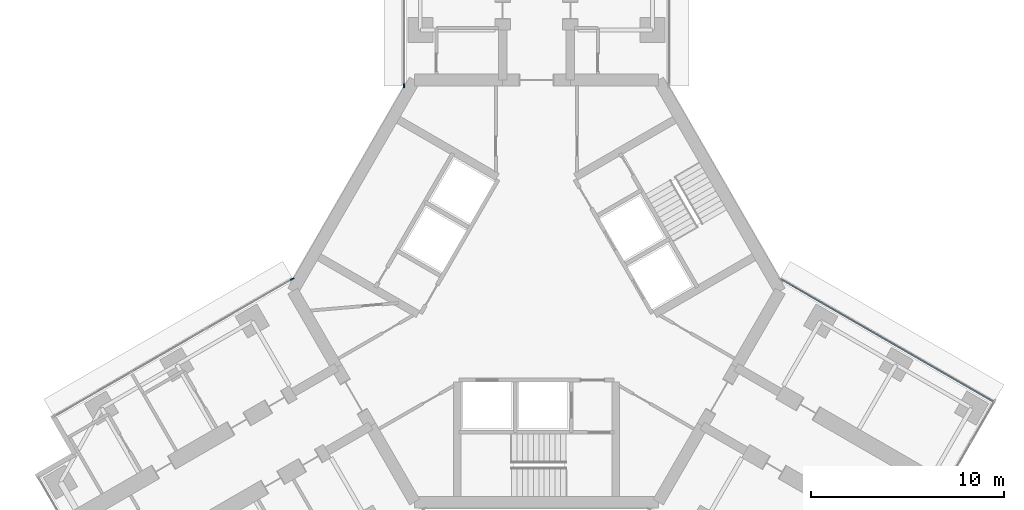
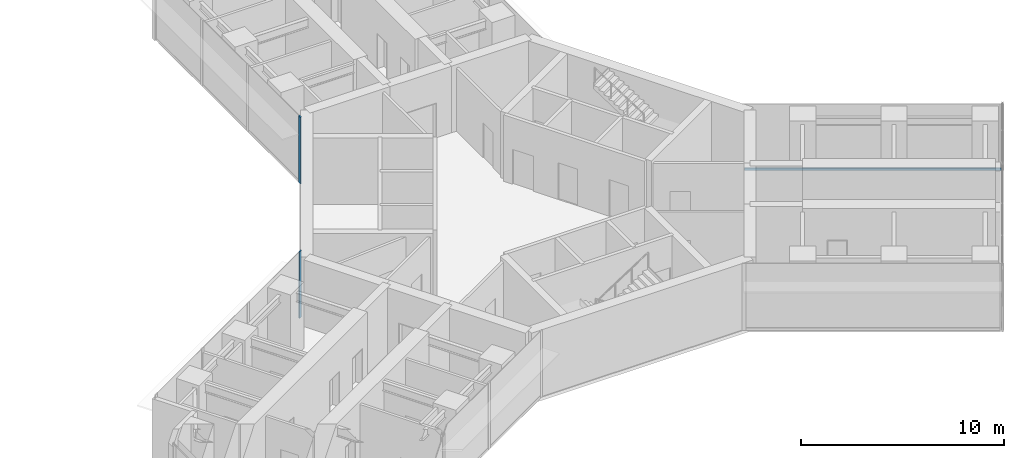
# One storey, part 9 of 22: 3 members, 3 elements without a shape of their own.
"""IFC4 building model written with IfcOpenShell, lengths in metres."""

from ifc_helpers import new_model, si_unit, direction, frame, origin, origin_2d, place, context, subcontext, project, spatial, rectangle, extrude, material, material_profile, profile_set, type_object, element, aggregate, save


model = new_model("IFC4")

# Units and contexts
model_context = context("Model", 3, precision=1e-05, world=origin(), true_north=direction((0.0, 1.0)))
body_context = subcontext(model_context, "Body", "Model", "MODEL_VIEW")
ifc_project = project(units=[si_unit("LENGTHUNIT", "METRE"), si_unit("AREAUNIT", "SQUARE_METRE"), si_unit("VOLUMEUNIT", "CUBIC_METRE"), si_unit("PLANEANGLEUNIT", "RADIAN"), si_unit("MASSUNIT", "GRAM", prefix="KILO")], contexts=[model_context])

# Site, building, storey
site_placement = place(None, origin())
site = spatial("IfcSite", under=ifc_project, at=site_placement, CompositionType="ELEMENT")
building_placement = place(site_placement, origin())
building = spatial("IfcBuilding", under=site, at=building_placement, Name="Upepo Twin Towers", CompositionType="ELEMENT")
storey_placement = place(building_placement, frame((0.0, 0.0, 133.5)))
storey = spatial("IfcBuildingStorey", under=building, at=storey_placement, Name="L32", CompositionType="ELEMENT", Elevation=133.5)

# Curtain wall, member
ifc_material_1 = material(Name="Aluminium and fritted glass", Category="aluminium")
curtain_wall_type = type_object("IfcCurtainWallType", Name="Tower curtain wall TW2, fritted glass", PredefinedType="NOTDEFINED", material=ifc_material_1)
curtain_wall_1_placement = place(storey_placement, origin())
curtain_wall_1 = element("IfcCurtainWall", 1, at=curtain_wall_1_placement, inside=storey, type_object=curtain_wall_type, Name="T2 L32 wing A flank L curtain wall", PredefinedType="NOTDEFINED")
ifc_material_2 = material(Name="Aluminium mullion", Category="aluminium")
ifc_material_profile_1 = material_profile(ifc_material_2, rectangle(XDim=0.06494140625, YDim=0.199951171875, at=origin_2d()), Name="MULLION 65x200")
ifc_profile_set_1 = profile_set([ifc_material_profile_1], Name="Aluminium mullion")
member_type_1 = type_object("IfcMemberType", Name="Mullion 65x200 TW2", PredefinedType="MULLION", material=ifc_profile_set_1)
member_1_placement = place(storey_placement, frame((51.64990234375, -7.38037109375, 0.0), z_axis=(0.0, 0.0, 1.0), x_axis=(-1.0, 0.0, 0.0)))
member_1 = element("IfcMember", 2, at=member_1_placement, type_object=member_type_1, Name="T2 L32 wing A flank L curtain wall mullion 1", PredefinedType="MULLION", context=body_context, shape_type="SweptSolid", body=[
    extrude(rectangle(XDim=0.06494140625, YDim=0.199951171875, at=origin_2d()), origin(), (0.0, 0.0, 1.0), 4.0),
])
aggregate(curtain_wall_1, [member_1])

curtain_wall_2_placement = place(storey_placement, origin())
curtain_wall_2 = element("IfcCurtainWall", 3, at=curtain_wall_2_placement, inside=storey, type_object=curtain_wall_type, Name="T2 L32 wing B flank R curtain wall", PredefinedType="NOTDEFINED")
member_2_placement = place(storey_placement, frame((45.878173828125, -17.37744140625, 0.0), z_axis=(0.0, 0.0, 1.0), x_axis=(-0.500000010308, 0.866025397833, 0.0)))
member_2 = element("IfcMember", 4, at=member_2_placement, type_object=member_type_1, Name="T2 L32 wing B flank R curtain wall mullion 4", PredefinedType="MULLION", context=body_context, shape_type="SweptSolid", body=[
    extrude(rectangle(XDim=0.06494140625, YDim=0.199951171875, at=origin_2d()), origin(), (0.0, 0.0, 1.0), 4.0),
])
aggregate(curtain_wall_2, [member_2])

curtain_wall_3_placement = place(storey_placement, origin())
curtain_wall_3 = element("IfcCurtainWall", 5, at=curtain_wall_3_placement, inside=storey, type_object=curtain_wall_type, Name="T2 L32 wing C flank L curtain wall", PredefinedType="NOTDEFINED")
ifc_material_3 = material(Name="Aluminium transom", Category="aluminium")
ifc_material_profile_2 = material_profile(ifc_material_3, rectangle(XDim=0.06494140625, YDim=0.14990234375, at=origin_2d()), Name="TRANSOM 65x150")
ifc_profile_set_2 = profile_set([ifc_material_profile_2], Name="Aluminium transom")
member_type_2 = type_object("IfcMemberType", Name="Transom 65x150 TW2", PredefinedType="USERDEFINED", material=ifc_profile_set_2)
member_3_placement = place(storey_placement, frame((71.14990234375, -17.393798828125, 0.074951171875), z_axis=(0.866027247007, -0.499996807431, 0.0), x_axis=(0.499996807431, 0.866027247007, 0.0)))
member_3 = element("IfcMember", 6, at=member_3_placement, type_object=member_type_2, Name="T2 L32 wing C flank L curtain wall transom 1", ObjectType="TRANSOM", PredefinedType="USERDEFINED", context=body_context, shape_type="SweptSolid", body=[
    extrude(rectangle(XDim=0.06494140625, YDim=0.14990234375, at=origin_2d()), origin(), (0.0, 0.0, 1.0), 12.6328125),
])
aggregate(curtain_wall_3, [member_3])

save(model, "model.ifc")
